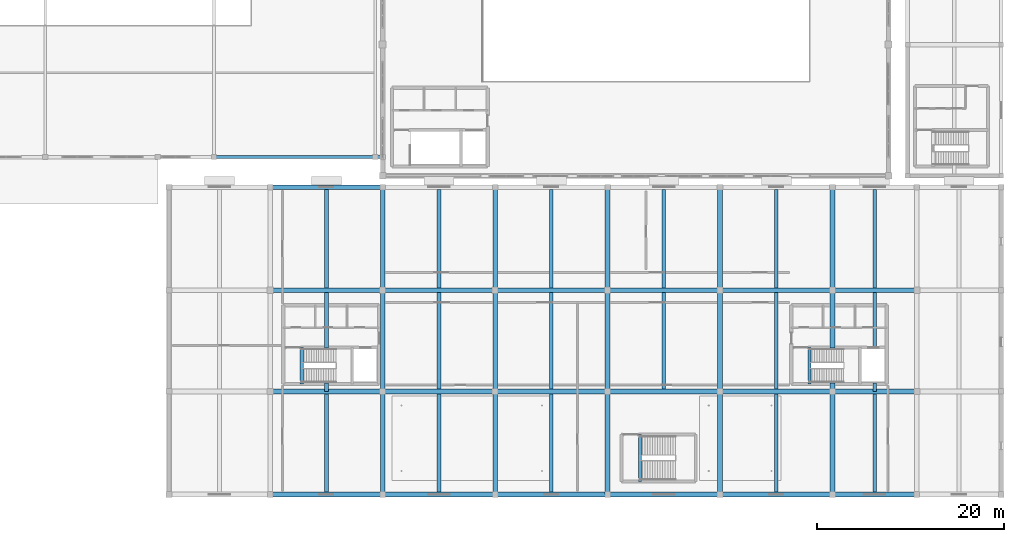
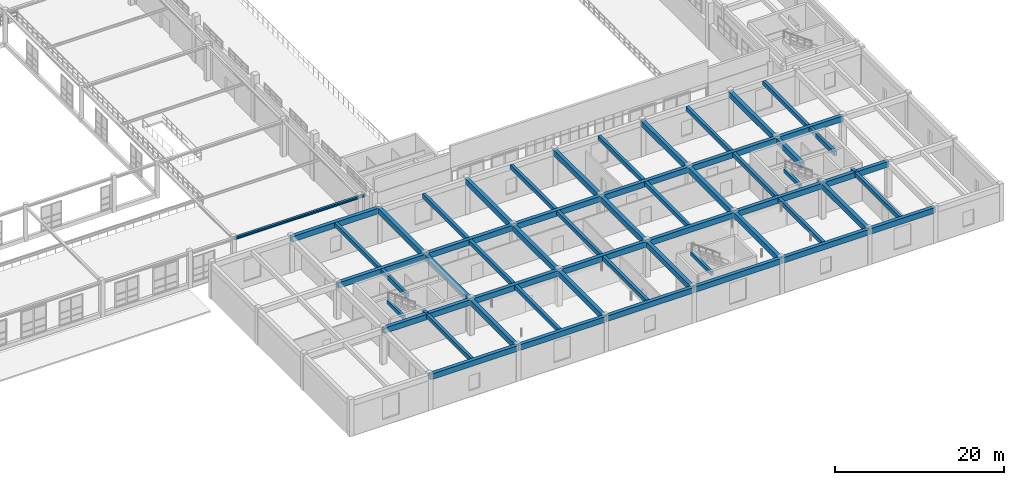
# One storey, part 94 of 197: 58 beams.
"""IFC4 building model written with IfcOpenShell, lengths in metres."""

from ifc_helpers import new_model, si_unit, derived_unit, direction, frame, origin, origin_2d, place, context, subcontext, project, spatial, rectangle, i_section, extrude, material, material_profile, profile_set, type_object, element, save


model = new_model("IFC4")

# Units and contexts
model_context = context("Model", 3, precision=1e-05, world=origin(), true_north=direction((0.0, 1.0)))
body_context = subcontext(model_context, "Body", "Model", "MODEL_VIEW")
ifc_project = project(units=[si_unit("LENGTHUNIT", "METRE"), si_unit("AREAUNIT", "SQUARE_METRE"), si_unit("VOLUMEUNIT", "CUBIC_METRE"), si_unit("PLANEANGLEUNIT", "RADIAN"), si_unit("MASSUNIT", "GRAM", prefix="KILO"), derived_unit("THERMALTRANSMITTANCEUNIT", [(si_unit("POWERUNIT", "WATT"), 1), (si_unit("LENGTHUNIT", "METRE"), -2), (si_unit("THERMODYNAMICTEMPERATUREUNIT", "KELVIN"), -1)])], contexts=[model_context])

# Site, building, storey
site_placement = place(None, origin())
site = spatial("IfcSite", under=ifc_project, at=site_placement, CompositionType="ELEMENT")
building_placement = place(site_placement, origin())
building = spatial("IfcBuilding", under=site, at=building_placement, Name="Almenara Railside Exhibition Hall", CompositionType="ELEMENT")
storey_placement = place(building_placement, frame((0.0, 0.0, 5.39990234375)))
storey = spatial("IfcBuildingStorey", under=building, at=storey_placement, Name="L01", CompositionType="ELEMENT", Elevation=5.39990234375)

# Beams
ifc_material_1 = material(Name="Concrete C35/45", Category="concrete")
ifc_material_profile_1 = material_profile(ifc_material_1, rectangle(XDim=0.5, YDim=0.800048828125, at=origin_2d()), Name="RC 500x800")
ifc_profile_set_1 = profile_set([ifc_material_profile_1], Name="Concrete C35/45")
beam_type_1 = type_object("IfcBeamType", Name="RC Primary Beam 500x800 C35/45", PredefinedType="BEAM", material=ifc_profile_set_1)
for number, where, z_axis, x_axis, name in (
    (1, (126.0, 0.0, 4.736083984375), (1.0, 0.0, 0.0), (0.0, 1.0, 0.0), "Beam 0169"),
    (2, (138.0, 0.0, 4.736083984375), (1.0, 0.0, 0.0), (0.0, 1.0, 0.0), "Beam 0170"),
    (3, (150.0, 0.0, 4.736083984375), (1.0, 0.0, 0.0), (0.0, 1.0, 0.0), "Beam 0171"),
    (4, (162.0, 0.0, 4.736083984375), (1.0, 0.0, 0.0), (0.0, 1.0, 0.0), "Beam 0172"),
    (5, (174.0, 0.0, 4.736083984375), (1.0, 0.0, 0.0), (0.0, 1.0, 0.0), "Beam 0173"),
):
    element("IfcBeam", number, at=place(storey_placement, frame(where, z_axis=z_axis, x_axis=x_axis)), inside=storey, type_object=beam_type_1, Name=name, PredefinedType="BEAM", context=body_context, shape_type="SweptSolid", body=[
        extrude(rectangle(XDim=0.5, YDim=0.800048828125, at=origin_2d()), origin(), (0.0, 0.0, 1.0), 12.0),
    ])
beam_1_placement = place(storey_placement, frame((186.0, 0.0, 4.736083984375), z_axis=(1.0, 0.0, 0.0), x_axis=(0.0, 1.0, 0.0)))
element("IfcBeam", 6, at=beam_1_placement, inside=storey, type_object=beam_type_1, Name="Beam 0174", PredefinedType="BEAM", context=body_context, shape_type="SweptSolid", body=[
    extrude(rectangle(XDim=0.5, YDim=0.800048828125, at=origin_2d()), origin(), (0.0, 0.0, 1.0), 9.0),
])
for number, where, z_axis, x_axis, name in (
    (7, (126.0, 11.0, 4.736083984375), (1.0, 0.0, 0.0), (0.0, 1.0, 0.0), "Beam 0177"),
    (8, (138.0, 11.0, 4.736083984375), (1.0, 0.0, 0.0), (0.0, 1.0, 0.0), "Beam 0178"),
    (9, (150.0, 11.0, 4.736083984375), (1.0, 0.0, 0.0), (0.0, 1.0, 0.0), "Beam 0179"),
    (10, (162.0, 11.0, 4.736083984375), (1.0, 0.0, 0.0), (0.0, 1.0, 0.0), "Beam 0180"),
    (11, (174.0, 11.0, 4.736083984375), (1.0, 0.0, 0.0), (0.0, 1.0, 0.0), "Beam 0181"),
):
    element("IfcBeam", number, at=place(storey_placement, frame(where, z_axis=z_axis, x_axis=x_axis)), inside=storey, type_object=beam_type_1, Name=name, PredefinedType="BEAM", context=body_context, shape_type="SweptSolid", body=[
        extrude(rectangle(XDim=0.5, YDim=0.800048828125, at=origin_2d()), origin(), (0.0, 0.0, 1.0), 12.0),
    ])
beam_2_placement = place(storey_placement, frame((186.0, 11.0, 4.736083984375), z_axis=(1.0, 0.0, 0.0), x_axis=(0.0, 1.0, 0.0)))
element("IfcBeam", 12, at=beam_2_placement, inside=storey, type_object=beam_type_1, Name="Beam 0182", PredefinedType="BEAM", context=body_context, shape_type="SweptSolid", body=[
    extrude(rectangle(XDim=0.5, YDim=0.800048828125, at=origin_2d()), origin(), (0.0, 0.0, 1.0), 9.0),
])
for number, where, z_axis, x_axis, name in (
    (13, (126.0, 21.800048828125, 4.736083984375), (1.0, 0.0, 0.0), (0.0, 1.0, 0.0), "Beam 0185"),
    (14, (138.0, 21.800048828125, 4.736083984375), (1.0, 0.0, 0.0), (0.0, 1.0, 0.0), "Beam 0186"),
    (15, (150.0, 21.800048828125, 4.736083984375), (1.0, 0.0, 0.0), (0.0, 1.0, 0.0), "Beam 0187"),
    (16, (162.0, 21.800048828125, 4.736083984375), (1.0, 0.0, 0.0), (0.0, 1.0, 0.0), "Beam 0188"),
    (17, (174.0, 21.800048828125, 4.736083984375), (1.0, 0.0, 0.0), (0.0, 1.0, 0.0), "Beam 0189"),
):
    element("IfcBeam", number, at=place(storey_placement, frame(where, z_axis=z_axis, x_axis=x_axis)), inside=storey, type_object=beam_type_1, Name=name, PredefinedType="BEAM", context=body_context, shape_type="SweptSolid", body=[
        extrude(rectangle(XDim=0.5, YDim=0.800048828125, at=origin_2d()), origin(), (0.0, 0.0, 1.0), 12.0),
    ])
beam_3_placement = place(storey_placement, frame((186.0, 21.800048828125, 4.736083984375), z_axis=(1.0, 0.0, 0.0), x_axis=(0.0, 1.0, 0.0)))
element("IfcBeam", 18, at=beam_3_placement, inside=storey, type_object=beam_type_1, Name="Beam 0190", PredefinedType="BEAM", context=body_context, shape_type="SweptSolid", body=[
    extrude(rectangle(XDim=0.5, YDim=0.800048828125, at=origin_2d()), origin(), (0.0, 0.0, 1.0), 9.0),
])
beam_4_placement = place(storey_placement, frame((126.0, 32.800048828125, 4.736083984375), z_axis=(1.0, 0.0, 0.0), x_axis=(0.0, 1.0, 0.0)))
element("IfcBeam", 19, at=beam_4_placement, inside=storey, type_object=beam_type_1, Name="Beam 0193", PredefinedType="BEAM", context=body_context, shape_type="SweptSolid", body=[
    extrude(rectangle(XDim=0.5, YDim=0.800048828125, at=origin_2d()), origin(), (0.0, 0.0, 1.0), 12.0),
])
beam_5_placement = place(storey_placement, frame((138.0, 0.0, 4.736083984375), z_axis=(0.0, 1.0, 0.0), x_axis=(-1.0, 0.0, 0.0)))
element("IfcBeam", 20, at=beam_5_placement, inside=storey, type_object=beam_type_1, Name="Beam 0206", PredefinedType="BEAM", context=body_context, shape_type="SweptSolid", body=[
    extrude(rectangle(XDim=0.5, YDim=0.800048828125, at=origin_2d()), origin(), (0.0, 0.0, 1.0), 11.0),
])
beam_6_placement = place(storey_placement, frame((138.0, 11.0, 4.736083984375), z_axis=(0.0, 1.0, 0.0), x_axis=(-1.0, 0.0, 0.0)))
element("IfcBeam", 21, at=beam_6_placement, inside=storey, type_object=beam_type_1, Name="Beam 0207", PredefinedType="BEAM", context=body_context, shape_type="SweptSolid", body=[
    extrude(rectangle(XDim=0.5, YDim=0.800048828125, at=origin_2d()), origin(), (0.0, 0.0, 1.0), 10.800048828125),
])
for number, where, z_axis, x_axis, name in (
    (22, (138.0, 21.800048828125, 4.736083984375), (0.0, 1.0, 0.0), (-1.0, 0.0, 0.0), "Beam 0208"),
    (23, (150.0, 0.0, 4.736083984375), (0.0, 1.0, 0.0), (-1.0, 0.0, 0.0), "Beam 0209"),
):
    element("IfcBeam", number, at=place(storey_placement, frame(where, z_axis=z_axis, x_axis=x_axis)), inside=storey, type_object=beam_type_1, Name=name, PredefinedType="BEAM", context=body_context, shape_type="SweptSolid", body=[
        extrude(rectangle(XDim=0.5, YDim=0.800048828125, at=origin_2d()), origin(), (0.0, 0.0, 1.0), 11.0),
    ])
beam_7_placement = place(storey_placement, frame((150.0, 11.0, 4.736083984375), z_axis=(0.0, 1.0, 0.0), x_axis=(-1.0, 0.0, 0.0)))
element("IfcBeam", 24, at=beam_7_placement, inside=storey, type_object=beam_type_1, Name="Beam 0210", PredefinedType="BEAM", context=body_context, shape_type="SweptSolid", body=[
    extrude(rectangle(XDim=0.5, YDim=0.800048828125, at=origin_2d()), origin(), (0.0, 0.0, 1.0), 10.800048828125),
])
for number, where, z_axis, x_axis, name in (
    (25, (150.0, 21.800048828125, 4.736083984375), (0.0, 1.0, 0.0), (-1.0, 0.0, 0.0), "Beam 0211"),
    (26, (162.0, 0.0, 4.736083984375), (0.0, 1.0, 0.0), (-1.0, 0.0, 0.0), "Beam 0212"),
):
    element("IfcBeam", number, at=place(storey_placement, frame(where, z_axis=z_axis, x_axis=x_axis)), inside=storey, type_object=beam_type_1, Name=name, PredefinedType="BEAM", context=body_context, shape_type="SweptSolid", body=[
        extrude(rectangle(XDim=0.5, YDim=0.800048828125, at=origin_2d()), origin(), (0.0, 0.0, 1.0), 11.0),
    ])
beam_8_placement = place(storey_placement, frame((162.0, 11.0, 4.736083984375), z_axis=(0.0, 1.0, 0.0), x_axis=(-1.0, 0.0, 0.0)))
element("IfcBeam", 27, at=beam_8_placement, inside=storey, type_object=beam_type_1, Name="Beam 0213", PredefinedType="BEAM", context=body_context, shape_type="SweptSolid", body=[
    extrude(rectangle(XDim=0.5, YDim=0.800048828125, at=origin_2d()), origin(), (0.0, 0.0, 1.0), 10.800048828125),
])
for number, where, z_axis, x_axis, name in (
    (28, (162.0, 21.800048828125, 4.736083984375), (0.0, 1.0, 0.0), (-1.0, 0.0, 0.0), "Beam 0214"),
    (29, (174.0, 0.0, 4.736083984375), (0.0, 1.0, 0.0), (-1.0, 0.0, 0.0), "Beam 0215"),
):
    element("IfcBeam", number, at=place(storey_placement, frame(where, z_axis=z_axis, x_axis=x_axis)), inside=storey, type_object=beam_type_1, Name=name, PredefinedType="BEAM", context=body_context, shape_type="SweptSolid", body=[
        extrude(rectangle(XDim=0.5, YDim=0.800048828125, at=origin_2d()), origin(), (0.0, 0.0, 1.0), 11.0),
    ])
beam_9_placement = place(storey_placement, frame((174.0, 11.0, 4.736083984375), z_axis=(0.0, 1.0, 0.0), x_axis=(-1.0, 0.0, 0.0)))
element("IfcBeam", 30, at=beam_9_placement, inside=storey, type_object=beam_type_1, Name="Beam 0216", PredefinedType="BEAM", context=body_context, shape_type="SweptSolid", body=[
    extrude(rectangle(XDim=0.5, YDim=0.800048828125, at=origin_2d()), origin(), (0.0, 0.0, 1.0), 10.800048828125),
])
for number, where, z_axis, x_axis, name in (
    (31, (174.0, 21.800048828125, 4.736083984375), (0.0, 1.0, 0.0), (-1.0, 0.0, 0.0), "Beam 0217"),
    (32, (186.0, 0.0, 4.736083984375), (0.0, 1.0, 0.0), (-1.0, 0.0, 0.0), "Beam 0218"),
):
    element("IfcBeam", number, at=place(storey_placement, frame(where, z_axis=z_axis, x_axis=x_axis)), inside=storey, type_object=beam_type_1, Name=name, PredefinedType="BEAM", context=body_context, shape_type="SweptSolid", body=[
        extrude(rectangle(XDim=0.5, YDim=0.800048828125, at=origin_2d()), origin(), (0.0, 0.0, 1.0), 11.0),
    ])
beam_10_placement = place(storey_placement, frame((186.0, 11.0, 4.736083984375), z_axis=(0.0, 1.0, 0.0), x_axis=(-1.0, 0.0, 0.0)))
element("IfcBeam", 33, at=beam_10_placement, inside=storey, type_object=beam_type_1, Name="Beam 0219", PredefinedType="BEAM", context=body_context, shape_type="SweptSolid", body=[
    extrude(rectangle(XDim=0.5, YDim=0.800048828125, at=origin_2d()), origin(), (0.0, 0.0, 1.0), 0.89990234375),
])
beam_11_placement = place(storey_placement, frame((186.0, 15.6201171875, 4.736083984375), z_axis=(0.0, 1.0, 0.0), x_axis=(-1.0, 0.0, 0.0)))
element("IfcBeam", 34, at=beam_11_placement, inside=storey, type_object=beam_type_1, Name="Beam 0220", PredefinedType="BEAM", context=body_context, shape_type="SweptSolid", body=[
    extrude(rectangle(XDim=0.5, YDim=0.800048828125, at=origin_2d()), origin(), (0.0, 0.0, 1.0), 6.179931640625),
])
beam_12_placement = place(storey_placement, frame((186.0, 21.800048828125, 4.736083984375), z_axis=(0.0, 1.0, 0.0), x_axis=(-1.0, 0.0, 0.0)))
element("IfcBeam", 35, at=beam_12_placement, inside=storey, type_object=beam_type_1, Name="Beam 0221", PredefinedType="BEAM", context=body_context, shape_type="SweptSolid", body=[
    extrude(rectangle(XDim=0.5, YDim=0.800048828125, at=origin_2d()), origin(), (0.0, 0.0, 1.0), 11.0),
])
ifc_material_profile_2 = material_profile(ifc_material_1, rectangle(XDim=0.39990234375, YDim=0.60009765625, at=origin_2d()), Name="RC 400x600")
ifc_profile_set_2 = profile_set([ifc_material_profile_2], Name="Concrete C35/45")
beam_type_2 = type_object("IfcBeamType", Name="RC Secondary Beam 400x600 C35/45", PredefinedType="BEAM", material=ifc_profile_set_2)
beam_13_placement = place(storey_placement, frame((132.0, 0.25, 4.836181640625), z_axis=(0.0, 1.0, 0.0), x_axis=(-1.0, 0.0, 0.0)))
element("IfcBeam", 36, at=beam_13_placement, inside=storey, type_object=beam_type_2, Name="Beam 0231", PredefinedType="BEAM", context=body_context, shape_type="SweptSolid", body=[
    extrude(rectangle(XDim=0.39990234375, YDim=0.60009765625, at=origin_2d()), origin(), (0.0, 0.0, 1.0), 10.5),
])
beam_14_placement = place(storey_placement, frame((132.0, 11.0, 4.836181640625), z_axis=(0.0, 1.0, 0.0), x_axis=(-1.0, 0.0, 0.0)))
element("IfcBeam", 37, at=beam_14_placement, inside=storey, type_object=beam_type_2, Name="Beam 0232", PredefinedType="BEAM", context=body_context, shape_type="SweptSolid", body=[
    extrude(rectangle(XDim=0.39990234375, YDim=0.60009765625, at=origin_2d()), origin(), (0.0, 0.0, 1.0), 0.89990234375),
])
beam_15_placement = place(storey_placement, frame((132.0, 15.6201171875, 4.836181640625), z_axis=(0.0, 1.0, 0.0), x_axis=(-1.0, 0.0, 0.0)))
element("IfcBeam", 38, at=beam_15_placement, inside=storey, type_object=beam_type_2, Name="Beam 0233", PredefinedType="BEAM", context=body_context, shape_type="SweptSolid", body=[
    extrude(rectangle(XDim=0.39990234375, YDim=0.60009765625, at=origin_2d()), origin(), (0.0, 0.0, 1.0), 5.929931640625),
])
for number, where, z_axis, x_axis, name in (
    (39, (132.0, 22.050048828125, 4.836181640625), (0.0, 1.0, 0.0), (-1.0, 0.0, 0.0), "Beam 0234"),
    (40, (144.0, 0.25, 4.836181640625), (0.0, 1.0, 0.0), (-1.0, 0.0, 0.0), "Beam 0235"),
):
    element("IfcBeam", number, at=place(storey_placement, frame(where, z_axis=z_axis, x_axis=x_axis)), inside=storey, type_object=beam_type_2, Name=name, PredefinedType="BEAM", context=body_context, shape_type="SweptSolid", body=[
        extrude(rectangle(XDim=0.39990234375, YDim=0.60009765625, at=origin_2d()), origin(), (0.0, 0.0, 1.0), 10.5),
    ])
beam_16_placement = place(storey_placement, frame((144.0, 11.25, 4.836181640625), z_axis=(0.0, 1.0, 0.0), x_axis=(-1.0, 0.0, 0.0)))
element("IfcBeam", 41, at=beam_16_placement, inside=storey, type_object=beam_type_2, Name="Beam 0236", PredefinedType="BEAM", context=body_context, shape_type="SweptSolid", body=[
    extrude(rectangle(XDim=0.39990234375, YDim=0.60009765625, at=origin_2d()), origin(), (0.0, 0.0, 1.0), 10.300048828125),
])
for number, where, z_axis, x_axis, name in (
    (42, (144.0, 22.050048828125, 4.836181640625), (0.0, 1.0, 0.0), (-1.0, 0.0, 0.0), "Beam 0237"),
    (43, (156.0, 0.25, 4.836181640625), (0.0, 1.0, 0.0), (-1.0, 0.0, 0.0), "Beam 0238"),
):
    element("IfcBeam", number, at=place(storey_placement, frame(where, z_axis=z_axis, x_axis=x_axis)), inside=storey, type_object=beam_type_2, Name=name, PredefinedType="BEAM", context=body_context, shape_type="SweptSolid", body=[
        extrude(rectangle(XDim=0.39990234375, YDim=0.60009765625, at=origin_2d()), origin(), (0.0, 0.0, 1.0), 10.5),
    ])
beam_17_placement = place(storey_placement, frame((156.0, 11.25, 4.836181640625), z_axis=(0.0, 1.0, 0.0), x_axis=(-1.0, 0.0, 0.0)))
element("IfcBeam", 44, at=beam_17_placement, inside=storey, type_object=beam_type_2, Name="Beam 0239", PredefinedType="BEAM", context=body_context, shape_type="SweptSolid", body=[
    extrude(rectangle(XDim=0.39990234375, YDim=0.60009765625, at=origin_2d()), origin(), (0.0, 0.0, 1.0), 10.300048828125),
])
beam_18_placement = place(storey_placement, frame((156.0, 22.050048828125, 4.836181640625), z_axis=(0.0, 1.0, 0.0), x_axis=(-1.0, 0.0, 0.0)))
element("IfcBeam", 45, at=beam_18_placement, inside=storey, type_object=beam_type_2, Name="Beam 0240", PredefinedType="BEAM", context=body_context, shape_type="SweptSolid", body=[
    extrude(rectangle(XDim=0.39990234375, YDim=0.60009765625, at=origin_2d()), origin(), (0.0, 0.0, 1.0), 10.5),
])
beam_19_placement = place(storey_placement, frame((168.0, 11.25, 4.836181640625), z_axis=(0.0, 1.0, 0.0), x_axis=(-1.0, 0.0, 0.0)))
element("IfcBeam", 46, at=beam_19_placement, inside=storey, type_object=beam_type_2, Name="Beam 0242", PredefinedType="BEAM", context=body_context, shape_type="SweptSolid", body=[
    extrude(rectangle(XDim=0.39990234375, YDim=0.60009765625, at=origin_2d()), origin(), (0.0, 0.0, 1.0), 10.300048828125),
])
for number, where, z_axis, x_axis, name in (
    (47, (168.0, 22.050048828125, 4.836181640625), (0.0, 1.0, 0.0), (-1.0, 0.0, 0.0), "Beam 0243"),
    (48, (180.0, 0.25, 4.836181640625), (0.0, 1.0, 0.0), (-1.0, 0.0, 0.0), "Beam 0244"),
):
    element("IfcBeam", number, at=place(storey_placement, frame(where, z_axis=z_axis, x_axis=x_axis)), inside=storey, type_object=beam_type_2, Name=name, PredefinedType="BEAM", context=body_context, shape_type="SweptSolid", body=[
        extrude(rectangle(XDim=0.39990234375, YDim=0.60009765625, at=origin_2d()), origin(), (0.0, 0.0, 1.0), 10.5),
    ])
beam_20_placement = place(storey_placement, frame((180.0, 11.25, 4.836181640625), z_axis=(0.0, 1.0, 0.0), x_axis=(-1.0, 0.0, 0.0)))
element("IfcBeam", 49, at=beam_20_placement, inside=storey, type_object=beam_type_2, Name="Beam 0245", PredefinedType="BEAM", context=body_context, shape_type="SweptSolid", body=[
    extrude(rectangle(XDim=0.39990234375, YDim=0.60009765625, at=origin_2d()), origin(), (0.0, 0.0, 1.0), 10.300048828125),
])
for number, where, z_axis, x_axis, name in (
    (50, (180.0, 22.050048828125, 4.836181640625), (0.0, 1.0, 0.0), (-1.0, 0.0, 0.0), "Beam 0246"),
    (51, (190.5, 0.25, 4.836181640625), (0.0, 1.0, 0.0), (-1.0, 0.0, 0.0), "Beam 0247"),
):
    element("IfcBeam", number, at=place(storey_placement, frame(where, z_axis=z_axis, x_axis=x_axis)), inside=storey, type_object=beam_type_2, Name=name, PredefinedType="BEAM", context=body_context, shape_type="SweptSolid", body=[
        extrude(rectangle(XDim=0.39990234375, YDim=0.60009765625, at=origin_2d()), origin(), (0.0, 0.0, 1.0), 10.5),
    ])
beam_21_placement = place(storey_placement, frame((190.5, 11.0, 4.836181640625), z_axis=(0.0, 1.0, 0.0), x_axis=(-1.0, 0.0, 0.0)))
element("IfcBeam", 52, at=beam_21_placement, inside=storey, type_object=beam_type_2, Name="Beam 0248", PredefinedType="BEAM", context=body_context, shape_type="SweptSolid", body=[
    extrude(rectangle(XDim=0.39990234375, YDim=0.60009765625, at=origin_2d()), origin(), (0.0, 0.0, 1.0), 0.89990234375),
])
beam_22_placement = place(storey_placement, frame((190.5, 15.6201171875, 4.836181640625), z_axis=(0.0, 1.0, 0.0), x_axis=(-1.0, 0.0, 0.0)))
element("IfcBeam", 53, at=beam_22_placement, inside=storey, type_object=beam_type_2, Name="Beam 0249", PredefinedType="BEAM", context=body_context, shape_type="SweptSolid", body=[
    extrude(rectangle(XDim=0.39990234375, YDim=0.60009765625, at=origin_2d()), origin(), (0.0, 0.0, 1.0), 5.929931640625),
])
beam_23_placement = place(storey_placement, frame((190.5, 22.050048828125, 4.836181640625), z_axis=(0.0, 1.0, 0.0), x_axis=(-1.0, 0.0, 0.0)))
element("IfcBeam", 54, at=beam_23_placement, inside=storey, type_object=beam_type_2, Name="Beam 0250", PredefinedType="BEAM", context=body_context, shape_type="SweptSolid", body=[
    extrude(rectangle(XDim=0.39990234375, YDim=0.60009765625, at=origin_2d()), origin(), (0.0, 0.0, 1.0), 10.5),
])
ifc_material_profile_3 = material_profile(ifc_material_1, rectangle(XDim=0.35009765625, YDim=0.5, at=origin_2d()), Name="RC 350x500")
ifc_profile_set_3 = profile_set([ifc_material_profile_3], Name="Concrete C35/45")
beam_type_3 = type_object("IfcBeamType", Name="RC Spandrel Tie Beam 350x500 C35/45", PredefinedType="SPANDREL", material=ifc_profile_set_3)
for number, where, z_axis, x_axis, name in (
    (55, (129.35009765625, 11.800048828125, 4.885986328125), (0.0, 1.0, 0.0), (-1.0, 0.0, 0.0), "Stair trimmer ST-C5-L01"),
    (56, (183.550048828125, 11.800048828125, 4.885986328125), (0.0, 1.0, 0.0), (-1.0, 0.0, 0.0), "Stair trimmer ST-C6-L01"),
):
    element("IfcBeam", number, at=place(storey_placement, frame(where, z_axis=z_axis, x_axis=x_axis)), inside=storey, type_object=beam_type_3, Name=name, PredefinedType="SPANDREL", context=body_context, shape_type="SweptSolid", body=[
        extrude(rectangle(XDim=0.35009765625, YDim=0.5, at=origin_2d()), origin(), (0.0, 0.0, 1.0), 3.89990234375),
    ])
beam_24_placement = place(storey_placement, frame((165.449951171875, 1.39990234375, 4.885986328125), z_axis=(0.0, 1.0, 0.0), x_axis=(-1.0, 0.0, 0.0)))
element("IfcBeam", 57, at=beam_24_placement, inside=storey, type_object=beam_type_3, Name="Stair trimmer HST4-L01", PredefinedType="SPANDREL", context=body_context, shape_type="SweptSolid", body=[
    extrude(rectangle(XDim=0.35009765625, YDim=0.5, at=origin_2d()), origin(), (0.0, 0.0, 1.0), 5.0),
])
ifc_material_2 = material(Name="Structural steel S355JR", Category="steel")
ifc_material_profile_4 = material_profile(ifc_material_2, i_section(OverallWidth=0.300048828125, OverallDepth=0.35009765625, WebThickness=0.010009765625, FlangeThickness=0.017578125, FilletRadius=0.027099609375, at=origin_2d()), Name="HEA 360")
ifc_profile_set_4 = profile_set([ifc_material_profile_4], Name="Structural steel S355JR")
beam_type_4 = type_object("IfcBeamType", Name="Steel Concourse Frame Beam HEA 360 S355JR", PredefinedType="BEAM", material=ifc_profile_set_4)
beam_25_placement = place(storey_placement, frame((120.0, 36.0, 4.9111328125), z_axis=(1.0, 0.0, 0.0), x_axis=(0.0, 1.0, 0.0)))
element("IfcBeam", 58, at=beam_25_placement, inside=storey, type_object=beam_type_4, Name="Beam 0785", PredefinedType="BEAM", context=body_context, shape_type="SweptSolid", body=[
    extrude(i_section(OverallWidth=0.300048828125, OverallDepth=0.35009765625, WebThickness=0.010009765625, FlangeThickness=0.017578125, FilletRadius=0.027099609375, at=origin_2d()), origin(), (0.0, 0.0, 1.0), 18.0),
])

save(model, "model.ifc")
